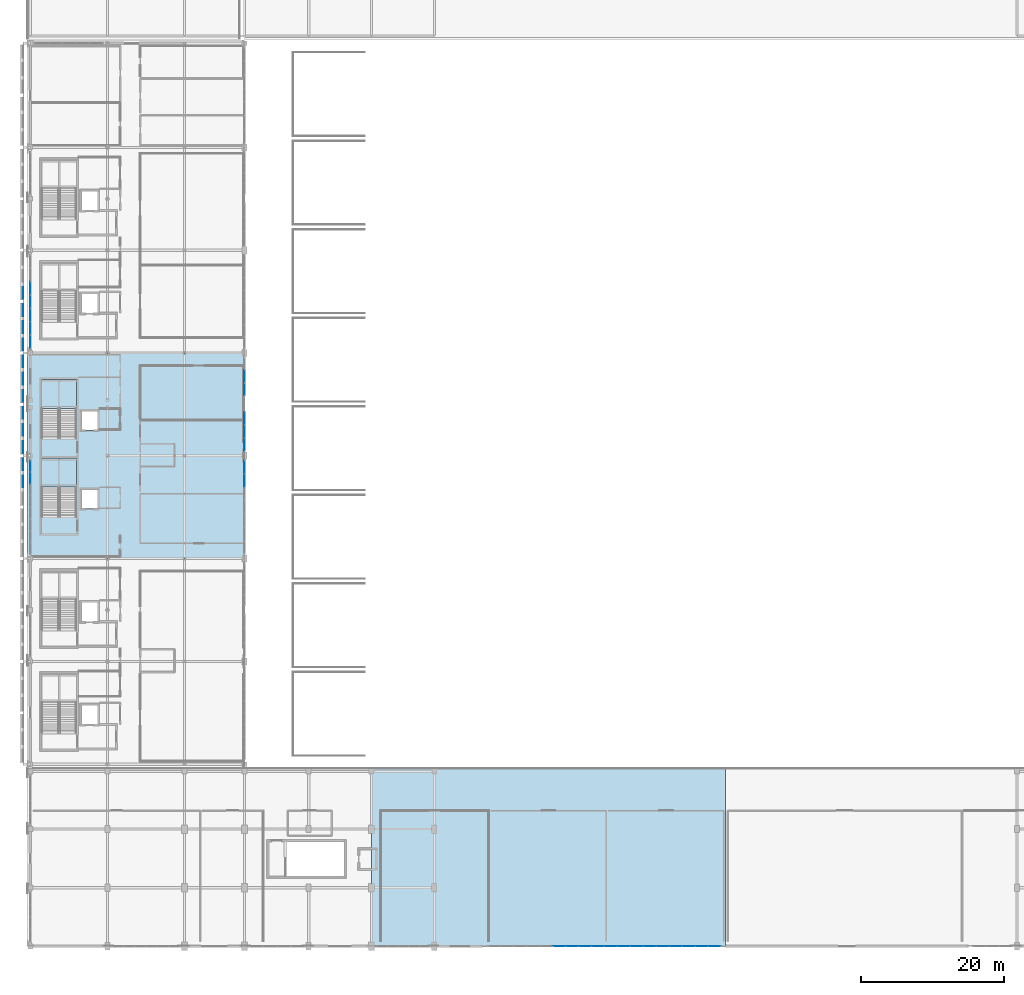
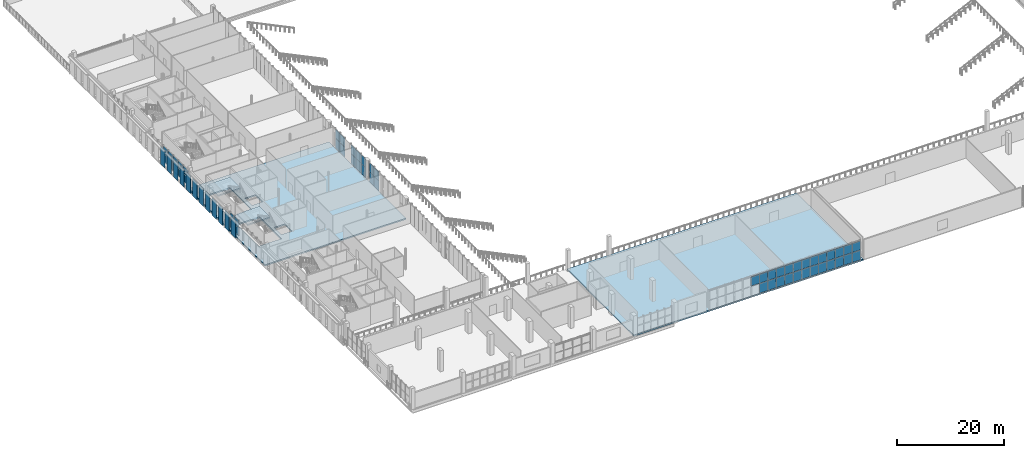
# One storey, part 54 of 104: 65 plates, 4 slabs, 8 elements without a shape of their own.
"""IFC4 building model written with IfcOpenShell, lengths in metres."""

from ifc_helpers import new_model, si_unit, direction, frame, origin, origin_2d, place, context, subcontext, project, spatial, polyline, rectangle, outline, extrude, material, layer, layer_set, type_object, element, aggregate, save


model = new_model("IFC4")

# Units and contexts
model_context = context("Model", 3, precision=1e-05, world=origin(), true_north=direction((0.0, 1.0)))
body_context = subcontext(model_context, "Body", "Model", "MODEL_VIEW")
ifc_project = project(units=[si_unit("LENGTHUNIT", "METRE"), si_unit("AREAUNIT", "SQUARE_METRE"), si_unit("VOLUMEUNIT", "CUBIC_METRE"), si_unit("PLANEANGLEUNIT", "RADIAN"), si_unit("MASSUNIT", "GRAM", prefix="KILO")], contexts=[model_context])

# Site, building, storey
site_placement = place(None, origin())
site = spatial("IfcSite", under=ifc_project, at=site_placement, CompositionType="ELEMENT")
building_placement = place(site_placement, origin())
building = spatial("IfcBuilding", under=site, at=building_placement, Name="Koshinbarg Plaza Stadium", CompositionType="ELEMENT")
storey_placement = place(building_placement, frame((0.0, 0.0, 19.800048828125)))
storey = spatial("IfcBuildingStorey", under=building, at=storey_placement, Name="L04", CompositionType="ELEMENT", Elevation=19.800048828125)

# Curtain wall, plates
ifc_material_1 = material(Name="Thermally broken anodised aluminium and low-E double glazing", Category="aluminium")
curtain_wall_type_1 = type_object("IfcCurtainWallType", Name="CW-SYS-15", PredefinedType="NOTDEFINED", material=ifc_material_1)
curtain_wall_1_placement = place(storey_placement, origin())
curtain_wall_1 = element("IfcCurtainWall", 1, at=curtain_wall_1_placement, inside=storey, type_object=curtain_wall_type_1, Name="L04 unitised curtain wall CW-L04-094", PredefinedType="NOTDEFINED")
ifc_material_2 = material(Name="Solar-control low-E double glazing unit", Category="glass")
ifc_layer_1 = layer(ifc_material_2, 0.028076171875)
ifc_layer_set_1 = layer_set([ifc_layer_1], Name="Solar-control low-E double glazing unit")
plate_type_1 = type_object("IfcPlateType", Name="CW-PNL-28", PredefinedType="CURTAIN_PANEL", material=ifc_layer_set_1)
plate_1_placement = place(storey_placement, frame((24.60009765625, 65.612548828125, 0.06005859375), z_axis=(0.0, 0.0, 1.0), x_axis=(0.0, 1.0, 0.0)))
plate_1 = element("IfcPlate", 2, at=plate_1_placement, type_object=plate_type_1, Name="CW15 panel 7.1", PredefinedType="CURTAIN_PANEL", context=body_context, shape_type="SweptSolid", body=[
    extrude(rectangle(XDim=1.5849609375, YDim=0.028076171875, at=origin_2d()), origin(), (0.0, 0.0, 1.0), 1.771484375),
])
plate_2_placement = place(storey_placement, frame((24.60009765625, 65.612548828125, 1.8916015625), z_axis=(0.0, 0.0, 1.0), x_axis=(0.0, 1.0, 0.0)))
plate_2 = element("IfcPlate", 3, at=plate_2_placement, type_object=plate_type_1, Name="CW15 panel 7.2", PredefinedType="CURTAIN_PANEL", context=body_context, shape_type="SweptSolid", body=[
    extrude(rectangle(XDim=1.5849609375, YDim=0.028076171875, at=origin_2d()), origin(), (0.0, 0.0, 1.0), 1.62841796875),
])
plate_3_placement = place(storey_placement, frame((24.60009765625, 67.242431640625, 0.06005859375), z_axis=(0.0, 0.0, 1.0), x_axis=(0.0, 1.0, 0.0)))
plate_3 = element("IfcPlate", 4, at=plate_3_placement, type_object=plate_type_1, Name="CW15 panel 8.1", PredefinedType="CURTAIN_PANEL", context=body_context, shape_type="SweptSolid", body=[
    extrude(rectangle(XDim=1.554931640625, YDim=0.028076171875, at=origin_2d()), origin(), (0.0, 0.0, 1.0), 1.771484375),
])
plate_4_placement = place(storey_placement, frame((24.60009765625, 67.242431640625, 1.8916015625), z_axis=(0.0, 0.0, 1.0), x_axis=(0.0, 1.0, 0.0)))
plate_4 = element("IfcPlate", 5, at=plate_4_placement, type_object=plate_type_1, Name="CW15 panel 8.2", PredefinedType="CURTAIN_PANEL", context=body_context, shape_type="SweptSolid", body=[
    extrude(rectangle(XDim=1.554931640625, YDim=0.028076171875, at=origin_2d()), origin(), (0.0, 0.0, 1.0), 1.62841796875),
])
aggregate(curtain_wall_1, [plate_1, plate_2, plate_3, plate_4])

curtain_wall_type_2 = type_object("IfcCurtainWallType", Name="CW-SYS-05", PredefinedType="NOTDEFINED", material=ifc_material_1)
curtain_wall_2_placement = place(storey_placement, origin())
curtain_wall_2 = element("IfcCurtainWall", 6, at=curtain_wall_2_placement, inside=storey, type_object=curtain_wall_type_2, Name="L04 unitised curtain wall CW-L04-116", PredefinedType="NOTDEFINED")
plate_5_placement = place(storey_placement, frame((54.60009765625, 73.938232421875, 0.06005859375), z_axis=(0.0, 0.0, 1.0), x_axis=(0.0, -1.0, 0.0)))
plate_5 = element("IfcPlate", 7, at=plate_5_placement, type_object=plate_type_1, Name="CW05 panel 1.1", PredefinedType="CURTAIN_PANEL", context=body_context, shape_type="SweptSolid", body=[
    extrude(rectangle(XDim=1.763427734375, YDim=0.028076171875, at=origin_2d()), origin(), (0.0, 0.0, 1.0), 2.239501953125),
])
plate_6_placement = place(storey_placement, frame((54.60009765625, 73.938232421875, 2.359375), z_axis=(0.0, 0.0, 1.0), x_axis=(0.0, -1.0, 0.0)))
plate_6 = element("IfcPlate", 8, at=plate_6_placement, type_object=plate_type_1, Name="CW05 panel 1.2", PredefinedType="CURTAIN_PANEL", context=body_context, shape_type="SweptSolid", body=[
    extrude(rectangle(XDim=1.763427734375, YDim=0.028076171875, at=origin_2d()), origin(), (0.0, 0.0, 1.0), 2.060302734375),
])
plate_7_placement = place(storey_placement, frame((54.60009765625, 72.10009765625, 0.06005859375), z_axis=(0.0, 0.0, 1.0), x_axis=(0.0, -1.0, 0.0)))
plate_7 = element("IfcPlate", 9, at=plate_7_placement, type_object=plate_type_1, Name="CW05 panel 2.1", PredefinedType="CURTAIN_PANEL", context=body_context, shape_type="SweptSolid", body=[
    extrude(rectangle(XDim=1.793212890625, YDim=0.028076171875, at=origin_2d()), origin(), (0.0, 0.0, 1.0), 2.239501953125),
])
plate_8_placement = place(storey_placement, frame((54.60009765625, 72.10009765625, 2.359375), z_axis=(0.0, 0.0, 1.0), x_axis=(0.0, -1.0, 0.0)))
plate_8 = element("IfcPlate", 10, at=plate_8_placement, type_object=plate_type_1, Name="CW05 panel 2.2", PredefinedType="CURTAIN_PANEL", context=body_context, shape_type="SweptSolid", body=[
    extrude(rectangle(XDim=1.793212890625, YDim=0.028076171875, at=origin_2d()), origin(), (0.0, 0.0, 1.0), 2.060302734375),
])
plate_9_placement = place(storey_placement, frame((54.60009765625, 70.26171875, 0.06005859375), z_axis=(0.0, 0.0, 1.0), x_axis=(0.0, -1.0, 0.0)))
plate_9 = element("IfcPlate", 11, at=plate_9_placement, type_object=plate_type_1, Name="CW05 panel 3.1", PredefinedType="CURTAIN_PANEL", context=body_context, shape_type="SweptSolid", body=[
    extrude(rectangle(XDim=1.763427734375, YDim=0.028076171875, at=origin_2d()), origin(), (0.0, 0.0, 1.0), 2.239501953125),
])
plate_10_placement = place(storey_placement, frame((54.60009765625, 70.26171875, 2.359375), z_axis=(0.0, 0.0, 1.0), x_axis=(0.0, -1.0, 0.0)))
plate_10 = element("IfcPlate", 12, at=plate_10_placement, type_object=plate_type_1, Name="CW05 panel 3.2", PredefinedType="CURTAIN_PANEL", context=body_context, shape_type="SweptSolid", body=[
    extrude(rectangle(XDim=1.763427734375, YDim=0.028076171875, at=origin_2d()), origin(), (0.0, 0.0, 1.0), 2.060302734375),
])
aggregate(curtain_wall_2, [plate_5, plate_6, plate_7, plate_8, plate_9, plate_10])

curtain_wall_type_3 = type_object("IfcCurtainWallType", Name="CW-SYS-16", PredefinedType="NOTDEFINED", material=ifc_material_1)
curtain_wall_3_placement = place(storey_placement, origin())
curtain_wall_3 = element("IfcCurtainWall", 13, at=curtain_wall_3_placement, inside=storey, type_object=curtain_wall_type_3, Name="L04 unitised curtain wall CW-L04-095", PredefinedType="NOTDEFINED")
ifc_material_3 = material(Name="Acoustic solar-control double glazing unit", Category="glass")
ifc_layer_2 = layer(ifc_material_3, 0.031982421875)
ifc_layer_set_2 = layer_set([ifc_layer_2], Name="Acoustic solar-control double glazing unit")
plate_type_2 = type_object("IfcPlateType", Name="CW-PNL-32", PredefinedType="CURTAIN_PANEL", material=ifc_layer_set_2)
plate_11_placement = place(storey_placement, frame((24.60009765625, 84.675048828125, 0.06005859375), z_axis=(0.0, 0.0, 1.0), x_axis=(0.0, 1.0, 0.0)))
plate_11 = element("IfcPlate", 14, at=plate_11_placement, type_object=plate_type_2, Name="CW16 panel 1.1", PredefinedType="CURTAIN_PANEL", context=body_context, shape_type="SweptSolid", body=[
    extrude(rectangle(XDim=1.7900390625, YDim=0.031982421875, at=origin_2d()), origin(), (0.0, 0.0, 1.0), 1.771484375),
])
plate_12_placement = place(storey_placement, frame((24.60009765625, 84.675048828125, 1.8916015625), z_axis=(0.0, 0.0, 1.0), x_axis=(0.0, 1.0, 0.0)))
plate_12 = element("IfcPlate", 15, at=plate_12_placement, type_object=plate_type_2, Name="CW16 panel 1.2", PredefinedType="CURTAIN_PANEL", context=body_context, shape_type="SweptSolid", body=[
    extrude(rectangle(XDim=1.7900390625, YDim=0.031982421875, at=origin_2d()), origin(), (0.0, 0.0, 1.0), 1.62841796875),
])
plate_13_placement = place(storey_placement, frame((24.60009765625, 86.5400390625, 0.06005859375), z_axis=(0.0, 0.0, 1.0), x_axis=(0.0, 1.0, 0.0)))
plate_13 = element("IfcPlate", 16, at=plate_13_placement, type_object=plate_type_2, Name="CW16 panel 2.1", PredefinedType="CURTAIN_PANEL", context=body_context, shape_type="SweptSolid", body=[
    extrude(rectangle(XDim=1.820068359375, YDim=0.031982421875, at=origin_2d()), origin(), (0.0, 0.0, 1.0), 1.771484375),
])
plate_14_placement = place(storey_placement, frame((24.60009765625, 86.5400390625, 1.8916015625), z_axis=(0.0, 0.0, 1.0), x_axis=(0.0, 1.0, 0.0)))
plate_14 = element("IfcPlate", 17, at=plate_14_placement, type_object=plate_type_2, Name="CW16 panel 2.2", PredefinedType="CURTAIN_PANEL", context=body_context, shape_type="SweptSolid", body=[
    extrude(rectangle(XDim=1.820068359375, YDim=0.031982421875, at=origin_2d()), origin(), (0.0, 0.0, 1.0), 1.62841796875),
])
plate_15_placement = place(storey_placement, frame((24.60009765625, 88.419921875, 0.06005859375), z_axis=(0.0, 0.0, 1.0), x_axis=(0.0, 1.0, 0.0)))
plate_15 = element("IfcPlate", 18, at=plate_15_placement, type_object=plate_type_2, Name="CW16 panel 3.1", PredefinedType="CURTAIN_PANEL", context=body_context, shape_type="SweptSolid", body=[
    extrude(rectangle(XDim=1.820068359375, YDim=0.031982421875, at=origin_2d()), origin(), (0.0, 0.0, 1.0), 1.771484375),
])
plate_16_placement = place(storey_placement, frame((24.60009765625, 88.419921875, 1.8916015625), z_axis=(0.0, 0.0, 1.0), x_axis=(0.0, 1.0, 0.0)))
plate_16 = element("IfcPlate", 19, at=plate_16_placement, type_object=plate_type_2, Name="CW16 panel 3.2", PredefinedType="CURTAIN_PANEL", context=body_context, shape_type="SweptSolid", body=[
    extrude(rectangle(XDim=1.820068359375, YDim=0.031982421875, at=origin_2d()), origin(), (0.0, 0.0, 1.0), 1.62841796875),
])
plate_17_placement = place(storey_placement, frame((24.60009765625, 90.300048828125, 0.06005859375), z_axis=(0.0, 0.0, 1.0), x_axis=(0.0, 1.0, 0.0)))
plate_17 = element("IfcPlate", 20, at=plate_17_placement, type_object=plate_type_2, Name="CW16 panel 4.1", PredefinedType="CURTAIN_PANEL", context=body_context, shape_type="SweptSolid", body=[
    extrude(rectangle(XDim=1.820068359375, YDim=0.031982421875, at=origin_2d()), origin(), (0.0, 0.0, 1.0), 1.771484375),
])
plate_18_placement = place(storey_placement, frame((24.60009765625, 90.300048828125, 1.8916015625), z_axis=(0.0, 0.0, 1.0), x_axis=(0.0, 1.0, 0.0)))
plate_18 = element("IfcPlate", 21, at=plate_18_placement, type_object=plate_type_2, Name="CW16 panel 4.2", PredefinedType="CURTAIN_PANEL", context=body_context, shape_type="SweptSolid", body=[
    extrude(rectangle(XDim=1.820068359375, YDim=0.031982421875, at=origin_2d()), origin(), (0.0, 0.0, 1.0), 1.62841796875),
])
plate_19_placement = place(storey_placement, frame((24.60009765625, 92.179931640625, 0.06005859375), z_axis=(0.0, 0.0, 1.0), x_axis=(0.0, 1.0, 0.0)))
plate_19 = element("IfcPlate", 22, at=plate_19_placement, type_object=plate_type_2, Name="CW16 panel 5.1", PredefinedType="CURTAIN_PANEL", context=body_context, shape_type="SweptSolid", body=[
    extrude(rectangle(XDim=1.820068359375, YDim=0.031982421875, at=origin_2d()), origin(), (0.0, 0.0, 1.0), 1.771484375),
])
plate_20_placement = place(storey_placement, frame((24.60009765625, 92.179931640625, 1.8916015625), z_axis=(0.0, 0.0, 1.0), x_axis=(0.0, 1.0, 0.0)))
plate_20 = element("IfcPlate", 23, at=plate_20_placement, type_object=plate_type_2, Name="CW16 panel 5.2", PredefinedType="CURTAIN_PANEL", context=body_context, shape_type="SweptSolid", body=[
    extrude(rectangle(XDim=1.820068359375, YDim=0.031982421875, at=origin_2d()), origin(), (0.0, 0.0, 1.0), 1.62841796875),
])
aggregate(curtain_wall_3, [plate_11, plate_12, plate_13, plate_14, plate_15, plate_16, plate_17, plate_18, plate_19, plate_20])

curtain_wall_type_4 = type_object("IfcCurtainWallType", Name="CW-SYS-12", PredefinedType="NOTDEFINED", material=ifc_material_1)
curtain_wall_4_placement = place(storey_placement, origin())
curtain_wall_4 = element("IfcCurtainWall", 24, at=curtain_wall_4_placement, inside=storey, type_object=curtain_wall_type_4, Name="L04 unitised curtain wall CW-L04-107", PredefinedType="NOTDEFINED")
plate_21_placement = place(storey_placement, frame((120.455078125, 0.0, 0.06005859375), z_axis=(0.0, 0.0, 1.0), x_axis=(-1.0, 0.0, 0.0)))
plate_21 = element("IfcPlate", 25, at=plate_21_placement, type_object=plate_type_2, Name="CW12 panel 1.1", PredefinedType="CURTAIN_PANEL", context=body_context, shape_type="SweptSolid", body=[
    extrude(rectangle(XDim=1.72998046875, YDim=0.031982421875, at=origin_2d()), origin(), (0.0, 0.0, 1.0), 2.239501953125),
])
plate_22_placement = place(storey_placement, frame((120.455078125, 0.0, 2.359375), z_axis=(0.0, 0.0, 1.0), x_axis=(-1.0, 0.0, 0.0)))
plate_22 = element("IfcPlate", 26, at=plate_22_placement, type_object=plate_type_2, Name="CW12 panel 1.2", PredefinedType="CURTAIN_PANEL", context=body_context, shape_type="SweptSolid", body=[
    extrude(rectangle(XDim=1.72998046875, YDim=0.031982421875, at=origin_2d()), origin(), (0.0, 0.0, 1.0), 2.060302734375),
])
plate_23_placement = place(storey_placement, frame((118.64990234375, 0.0, 0.06005859375), z_axis=(0.0, 0.0, 1.0), x_axis=(-1.0, 0.0, 0.0)))
plate_23 = element("IfcPlate", 27, at=plate_23_placement, type_object=plate_type_2, Name="CW12 panel 2.1", PredefinedType="CURTAIN_PANEL", context=body_context, shape_type="SweptSolid", body=[
    extrude(rectangle(XDim=1.760009765625, YDim=0.031982421875, at=origin_2d()), origin(), (0.0, 0.0, 1.0), 2.239501953125),
])
plate_24_placement = place(storey_placement, frame((118.64990234375, 0.0, 2.359375), z_axis=(0.0, 0.0, 1.0), x_axis=(-1.0, 0.0, 0.0)))
plate_24 = element("IfcPlate", 28, at=plate_24_placement, type_object=plate_type_2, Name="CW12 panel 2.2", PredefinedType="CURTAIN_PANEL", context=body_context, shape_type="SweptSolid", body=[
    extrude(rectangle(XDim=1.760009765625, YDim=0.031982421875, at=origin_2d()), origin(), (0.0, 0.0, 1.0), 2.060302734375),
])
plate_25_placement = place(storey_placement, frame((116.830078125, 0.0, 0.06005859375), z_axis=(0.0, 0.0, 1.0), x_axis=(-1.0, 0.0, 0.0)))
plate_25 = element("IfcPlate", 29, at=plate_25_placement, type_object=plate_type_2, Name="CW12 panel 3.1", PredefinedType="CURTAIN_PANEL", context=body_context, shape_type="SweptSolid", body=[
    extrude(rectangle(XDim=1.760009765625, YDim=0.031982421875, at=origin_2d()), origin(), (0.0, 0.0, 1.0), 2.239501953125),
])
plate_26_placement = place(storey_placement, frame((116.830078125, 0.0, 2.359375), z_axis=(0.0, 0.0, 1.0), x_axis=(-1.0, 0.0, 0.0)))
plate_26 = element("IfcPlate", 30, at=plate_26_placement, type_object=plate_type_2, Name="CW12 panel 3.2", PredefinedType="CURTAIN_PANEL", context=body_context, shape_type="SweptSolid", body=[
    extrude(rectangle(XDim=1.760009765625, YDim=0.031982421875, at=origin_2d()), origin(), (0.0, 0.0, 1.0), 2.060302734375),
])
plate_27_placement = place(storey_placement, frame((115.010009765625, 0.0, 0.06005859375), z_axis=(0.0, 0.0, 1.0), x_axis=(-1.0, 0.0, 0.0)))
plate_27 = element("IfcPlate", 31, at=plate_27_placement, type_object=plate_type_2, Name="CW12 panel 4.1", PredefinedType="CURTAIN_PANEL", context=body_context, shape_type="SweptSolid", body=[
    extrude(rectangle(XDim=1.760009765625, YDim=0.031982421875, at=origin_2d()), origin(), (0.0, 0.0, 1.0), 2.239501953125),
])
plate_28_placement = place(storey_placement, frame((115.010009765625, 0.0, 2.359375), z_axis=(0.0, 0.0, 1.0), x_axis=(-1.0, 0.0, 0.0)))
plate_28 = element("IfcPlate", 32, at=plate_28_placement, type_object=plate_type_2, Name="CW12 panel 4.2", PredefinedType="CURTAIN_PANEL", context=body_context, shape_type="SweptSolid", body=[
    extrude(rectangle(XDim=1.760009765625, YDim=0.031982421875, at=origin_2d()), origin(), (0.0, 0.0, 1.0), 2.060302734375),
])
plate_29_placement = place(storey_placement, frame((113.18994140625, 0.0, 0.06005859375), z_axis=(0.0, 0.0, 1.0), x_axis=(-1.0, 0.0, 0.0)))
plate_29 = element("IfcPlate", 33, at=plate_29_placement, type_object=plate_type_2, Name="CW12 panel 5.1", PredefinedType="CURTAIN_PANEL", context=body_context, shape_type="SweptSolid", body=[
    extrude(rectangle(XDim=1.760009765625, YDim=0.031982421875, at=origin_2d()), origin(), (0.0, 0.0, 1.0), 2.239501953125),
])
plate_30_placement = place(storey_placement, frame((113.18994140625, 0.0, 2.359375), z_axis=(0.0, 0.0, 1.0), x_axis=(-1.0, 0.0, 0.0)))
plate_30 = element("IfcPlate", 34, at=plate_30_placement, type_object=plate_type_2, Name="CW12 panel 5.2", PredefinedType="CURTAIN_PANEL", context=body_context, shape_type="SweptSolid", body=[
    extrude(rectangle(XDim=1.760009765625, YDim=0.031982421875, at=origin_2d()), origin(), (0.0, 0.0, 1.0), 2.060302734375),
])
plate_31_placement = place(storey_placement, frame((111.3701171875, 0.0, 0.06005859375), z_axis=(0.0, 0.0, 1.0), x_axis=(-1.0, 0.0, 0.0)))
plate_31 = element("IfcPlate", 35, at=plate_31_placement, type_object=plate_type_2, Name="CW12 panel 6.1", PredefinedType="CURTAIN_PANEL", context=body_context, shape_type="SweptSolid", body=[
    extrude(rectangle(XDim=1.760009765625, YDim=0.031982421875, at=origin_2d()), origin(), (0.0, 0.0, 1.0), 2.239501953125),
])
plate_32_placement = place(storey_placement, frame((111.3701171875, 0.0, 2.359375), z_axis=(0.0, 0.0, 1.0), x_axis=(-1.0, 0.0, 0.0)))
plate_32 = element("IfcPlate", 36, at=plate_32_placement, type_object=plate_type_2, Name="CW12 panel 6.2", PredefinedType="CURTAIN_PANEL", context=body_context, shape_type="SweptSolid", body=[
    extrude(rectangle(XDim=1.760009765625, YDim=0.031982421875, at=origin_2d()), origin(), (0.0, 0.0, 1.0), 2.060302734375),
])
plate_33_placement = place(storey_placement, frame((109.550048828125, 0.0, 0.06005859375), z_axis=(0.0, 0.0, 1.0), x_axis=(-1.0, 0.0, 0.0)))
plate_33 = element("IfcPlate", 37, at=plate_33_placement, type_object=plate_type_2, Name="CW12 panel 7.1", PredefinedType="CURTAIN_PANEL", context=body_context, shape_type="SweptSolid", body=[
    extrude(rectangle(XDim=1.760009765625, YDim=0.031982421875, at=origin_2d()), origin(), (0.0, 0.0, 1.0), 2.239501953125),
])
plate_34_placement = place(storey_placement, frame((109.550048828125, 0.0, 2.359375), z_axis=(0.0, 0.0, 1.0), x_axis=(-1.0, 0.0, 0.0)))
plate_34 = element("IfcPlate", 38, at=plate_34_placement, type_object=plate_type_2, Name="CW12 panel 7.2", PredefinedType="CURTAIN_PANEL", context=body_context, shape_type="SweptSolid", body=[
    extrude(rectangle(XDim=1.760009765625, YDim=0.031982421875, at=origin_2d()), origin(), (0.0, 0.0, 1.0), 2.060302734375),
])
plate_35_placement = place(storey_placement, frame((107.72998046875, 0.0, 0.06005859375), z_axis=(0.0, 0.0, 1.0), x_axis=(-1.0, 0.0, 0.0)))
plate_35 = element("IfcPlate", 39, at=plate_35_placement, type_object=plate_type_2, Name="CW12 panel 8.1", PredefinedType="CURTAIN_PANEL", context=body_context, shape_type="SweptSolid", body=[
    extrude(rectangle(XDim=1.760009765625, YDim=0.031982421875, at=origin_2d()), origin(), (0.0, 0.0, 1.0), 2.239501953125),
])
plate_36_placement = place(storey_placement, frame((107.72998046875, 0.0, 2.359375), z_axis=(0.0, 0.0, 1.0), x_axis=(-1.0, 0.0, 0.0)))
plate_36 = element("IfcPlate", 40, at=plate_36_placement, type_object=plate_type_2, Name="CW12 panel 8.2", PredefinedType="CURTAIN_PANEL", context=body_context, shape_type="SweptSolid", body=[
    extrude(rectangle(XDim=1.760009765625, YDim=0.031982421875, at=origin_2d()), origin(), (0.0, 0.0, 1.0), 2.060302734375),
])
plate_37_placement = place(storey_placement, frame((105.909912109375, 0.0, 0.06005859375), z_axis=(0.0, 0.0, 1.0), x_axis=(-1.0, 0.0, 0.0)))
plate_37 = element("IfcPlate", 41, at=plate_37_placement, type_object=plate_type_2, Name="CW12 panel 9.1", PredefinedType="CURTAIN_PANEL", context=body_context, shape_type="SweptSolid", body=[
    extrude(rectangle(XDim=1.760009765625, YDim=0.031982421875, at=origin_2d()), origin(), (0.0, 0.0, 1.0), 2.239501953125),
])
plate_38_placement = place(storey_placement, frame((105.909912109375, 0.0, 2.359375), z_axis=(0.0, 0.0, 1.0), x_axis=(-1.0, 0.0, 0.0)))
plate_38 = element("IfcPlate", 42, at=plate_38_placement, type_object=plate_type_2, Name="CW12 panel 9.2", PredefinedType="CURTAIN_PANEL", context=body_context, shape_type="SweptSolid", body=[
    extrude(rectangle(XDim=1.760009765625, YDim=0.031982421875, at=origin_2d()), origin(), (0.0, 0.0, 1.0), 2.060302734375),
])
plate_39_placement = place(storey_placement, frame((104.090087890625, 0.0, 0.06005859375), z_axis=(0.0, 0.0, 1.0), x_axis=(-1.0, 0.0, 0.0)))
plate_39 = element("IfcPlate", 43, at=plate_39_placement, type_object=plate_type_2, Name="CW12 panel 10.1", PredefinedType="CURTAIN_PANEL", context=body_context, shape_type="SweptSolid", body=[
    extrude(rectangle(XDim=1.760009765625, YDim=0.031982421875, at=origin_2d()), origin(), (0.0, 0.0, 1.0), 2.239501953125),
])
plate_40_placement = place(storey_placement, frame((104.090087890625, 0.0, 2.359375), z_axis=(0.0, 0.0, 1.0), x_axis=(-1.0, 0.0, 0.0)))
plate_40 = element("IfcPlate", 44, at=plate_40_placement, type_object=plate_type_2, Name="CW12 panel 10.2", PredefinedType="CURTAIN_PANEL", context=body_context, shape_type="SweptSolid", body=[
    extrude(rectangle(XDim=1.760009765625, YDim=0.031982421875, at=origin_2d()), origin(), (0.0, 0.0, 1.0), 2.060302734375),
])
plate_41_placement = place(storey_placement, frame((102.27001953125, 0.0, 0.06005859375), z_axis=(0.0, 0.0, 1.0), x_axis=(-1.0, 0.0, 0.0)))
plate_41 = element("IfcPlate", 45, at=plate_41_placement, type_object=plate_type_2, Name="CW12 panel 11.1", PredefinedType="CURTAIN_PANEL", context=body_context, shape_type="SweptSolid", body=[
    extrude(rectangle(XDim=1.760009765625, YDim=0.031982421875, at=origin_2d()), origin(), (0.0, 0.0, 1.0), 2.239501953125),
])
plate_42_placement = place(storey_placement, frame((102.27001953125, 0.0, 2.359375), z_axis=(0.0, 0.0, 1.0), x_axis=(-1.0, 0.0, 0.0)))
plate_42 = element("IfcPlate", 46, at=plate_42_placement, type_object=plate_type_2, Name="CW12 panel 11.2", PredefinedType="CURTAIN_PANEL", context=body_context, shape_type="SweptSolid", body=[
    extrude(rectangle(XDim=1.760009765625, YDim=0.031982421875, at=origin_2d()), origin(), (0.0, 0.0, 1.0), 2.060302734375),
])
plate_43_placement = place(storey_placement, frame((100.449951171875, 0.0, 0.06005859375), z_axis=(0.0, 0.0, 1.0), x_axis=(-1.0, 0.0, 0.0)))
plate_43 = element("IfcPlate", 47, at=plate_43_placement, type_object=plate_type_2, Name="CW12 panel 12.1", PredefinedType="CURTAIN_PANEL", context=body_context, shape_type="SweptSolid", body=[
    extrude(rectangle(XDim=1.760009765625, YDim=0.031982421875, at=origin_2d()), origin(), (0.0, 0.0, 1.0), 2.239501953125),
])
plate_44_placement = place(storey_placement, frame((100.449951171875, 0.0, 2.359375), z_axis=(0.0, 0.0, 1.0), x_axis=(-1.0, 0.0, 0.0)))
plate_44 = element("IfcPlate", 48, at=plate_44_placement, type_object=plate_type_2, Name="CW12 panel 12.2", PredefinedType="CURTAIN_PANEL", context=body_context, shape_type="SweptSolid", body=[
    extrude(rectangle(XDim=1.760009765625, YDim=0.031982421875, at=origin_2d()), origin(), (0.0, 0.0, 1.0), 2.060302734375),
])
plate_45_placement = place(storey_placement, frame((98.6298828125, 0.0, 2.359375), z_axis=(0.0, 0.0, 1.0), x_axis=(-1.0, 0.0, 0.0)))
plate_45 = element("IfcPlate", 49, at=plate_45_placement, type_object=plate_type_2, Name="CW12 panel 13.2", PredefinedType="CURTAIN_PANEL", context=body_context, shape_type="SweptSolid", body=[
    extrude(rectangle(XDim=1.760009765625, YDim=0.031982421875, at=origin_2d()), origin(), (0.0, 0.0, 1.0), 2.060302734375),
])
aggregate(curtain_wall_4, [plate_21, plate_22, plate_23, plate_24, plate_25, plate_26, plate_27, plate_28, plate_29, plate_30, plate_31, plate_32, plate_33, plate_34, plate_35, plate_36, plate_37, plate_38, plate_39, plate_40, plate_41, plate_42, plate_43, plate_44, plate_45])

curtain_wall_type_5 = type_object("IfcCurtainWallType", Name="CW-SYS-04", PredefinedType="NOTDEFINED", material=ifc_material_1)
curtain_wall_5_placement = place(storey_placement, origin())
curtain_wall_5 = element("IfcCurtainWall", 50, at=curtain_wall_5_placement, inside=storey, type_object=curtain_wall_type_5, Name="L04 unitised curtain wall CW-L04-115", PredefinedType="NOTDEFINED")
plate_46_placement = place(storey_placement, frame((54.60009765625, 79.800048828125, 0.06005859375), z_axis=(0.0, 0.0, 1.0), x_axis=(0.0, -1.0, 0.0)))
plate_46 = element("IfcPlate", 51, at=plate_46_placement, type_object=plate_type_2, Name="CW04 panel 2.1", PredefinedType="CURTAIN_PANEL", context=body_context, shape_type="SweptSolid", body=[
    extrude(rectangle(XDim=1.7265625, YDim=0.031982421875, at=origin_2d()), origin(), (0.0, 0.0, 1.0), 2.239501953125),
])
plate_47_placement = place(storey_placement, frame((54.60009765625, 79.800048828125, 2.359375), z_axis=(0.0, 0.0, 1.0), x_axis=(0.0, -1.0, 0.0)))
plate_47 = element("IfcPlate", 52, at=plate_47_placement, type_object=plate_type_2, Name="CW04 panel 2.2", PredefinedType="CURTAIN_PANEL", context=body_context, shape_type="SweptSolid", body=[
    extrude(rectangle(XDim=1.7265625, YDim=0.031982421875, at=origin_2d()), origin(), (0.0, 0.0, 1.0), 2.060302734375),
])
plate_48_placement = place(storey_placement, frame((54.60009765625, 78.0283203125, 0.06005859375), z_axis=(0.0, 0.0, 1.0), x_axis=(0.0, -1.0, 0.0)))
plate_48 = element("IfcPlate", 53, at=plate_48_placement, type_object=plate_type_2, Name="CW04 panel 3.1", PredefinedType="CURTAIN_PANEL", context=body_context, shape_type="SweptSolid", body=[
    extrude(rectangle(XDim=1.69677734375, YDim=0.031982421875, at=origin_2d()), origin(), (0.0, 0.0, 1.0), 2.239501953125),
])
plate_49_placement = place(storey_placement, frame((54.60009765625, 78.0283203125, 2.359375), z_axis=(0.0, 0.0, 1.0), x_axis=(0.0, -1.0, 0.0)))
plate_49 = element("IfcPlate", 54, at=plate_49_placement, type_object=plate_type_2, Name="CW04 panel 3.2", PredefinedType="CURTAIN_PANEL", context=body_context, shape_type="SweptSolid", body=[
    extrude(rectangle(XDim=1.69677734375, YDim=0.031982421875, at=origin_2d()), origin(), (0.0, 0.0, 1.0), 2.060302734375),
])
aggregate(curtain_wall_5, [plate_46, plate_47, plate_48, plate_49])

curtain_wall_type_6 = type_object("IfcCurtainWallType", Name="CW-SYS-06", PredefinedType="NOTDEFINED", material=ifc_material_1)
curtain_wall_6_placement = place(storey_placement, origin())
curtain_wall_6 = element("IfcCurtainWall", 55, at=curtain_wall_6_placement, inside=storey, type_object=curtain_wall_type_6, Name="L04 unitised curtain wall CW-L04-117", PredefinedType="NOTDEFINED")
plate_50_placement = place(storey_placement, frame((54.60009765625, 67.125, 0.06005859375), z_axis=(0.0, 0.0, 1.0), x_axis=(0.0, -1.0, 0.0)))
plate_50 = element("IfcPlate", 56, at=plate_50_placement, type_object=plate_type_2, Name="CW06 panel 1.1", PredefinedType="CURTAIN_PANEL", context=body_context, shape_type="SweptSolid", body=[
    extrude(rectangle(XDim=1.7900390625, YDim=0.031982421875, at=origin_2d()), origin(), (0.0, 0.0, 1.0), 2.239501953125),
])
plate_51_placement = place(storey_placement, frame((54.60009765625, 67.125, 2.359375), z_axis=(0.0, 0.0, 1.0), x_axis=(0.0, -1.0, 0.0)))
plate_51 = element("IfcPlate", 57, at=plate_51_placement, type_object=plate_type_2, Name="CW06 panel 1.2", PredefinedType="CURTAIN_PANEL", context=body_context, shape_type="SweptSolid", body=[
    extrude(rectangle(XDim=1.7900390625, YDim=0.031982421875, at=origin_2d()), origin(), (0.0, 0.0, 1.0), 2.060302734375),
])
plate_52_placement = place(storey_placement, frame((54.60009765625, 65.260009765625, 0.06005859375), z_axis=(0.0, 0.0, 1.0), x_axis=(0.0, -1.0, 0.0)))
plate_52 = element("IfcPlate", 58, at=plate_52_placement, type_object=plate_type_2, Name="CW06 panel 2.1", PredefinedType="CURTAIN_PANEL", context=body_context, shape_type="SweptSolid", body=[
    extrude(rectangle(XDim=1.820068359375, YDim=0.031982421875, at=origin_2d()), origin(), (0.0, 0.0, 1.0), 2.239501953125),
])
plate_53_placement = place(storey_placement, frame((54.60009765625, 65.260009765625, 2.359375), z_axis=(0.0, 0.0, 1.0), x_axis=(0.0, -1.0, 0.0)))
plate_53 = element("IfcPlate", 59, at=plate_53_placement, type_object=plate_type_2, Name="CW06 panel 2.2", PredefinedType="CURTAIN_PANEL", context=body_context, shape_type="SweptSolid", body=[
    extrude(rectangle(XDim=1.820068359375, YDim=0.031982421875, at=origin_2d()), origin(), (0.0, 0.0, 1.0), 2.060302734375),
])
aggregate(curtain_wall_6, [plate_50, plate_51, plate_52, plate_53])

# Plates
ifc_material_4 = material(Name="Off-white mineral-coated perforated aluminium screen panel", Category="aluminium")
ifc_layer_3 = layer(ifc_material_4, 0.050048828125)
ifc_layer_set_3 = layer_set([ifc_layer_3], Name="Off-white mineral-coated perforated aluminium screen panel")
plate_type_3 = type_object("IfcPlateType", Name="PLT-SCR-50", PredefinedType="USERDEFINED", material=ifc_layer_set_3)
for number, where, z_axis, x_axis, name in (
    (60, (23.580078125, 67.5, 0.19970703125), (0.0, 0.0, 1.0), (1.0, 0.0, 0.0), "L04 off-white leaf-pierced outer screen panel 060"),
    (61, (23.580078125, 72.300048828125, 0.19970703125), (0.0, 0.0, 1.0), (1.0, 0.0, 0.0), "L04 off-white leaf-pierced outer screen panel 062"),
    (62, (23.580078125, 77.10009765625, 0.19970703125), (0.0, 0.0, 1.0), (1.0, 0.0, 0.0), "L04 off-white leaf-pierced outer screen panel 064"),
    (63, (23.580078125, 81.89990234375, 0.19970703125), (0.0, 0.0, 1.0), (1.0, 0.0, 0.0), "L04 off-white leaf-pierced outer screen panel 066"),
    (64, (23.580078125, 86.699951171875, 0.19970703125), (0.0, 0.0, 1.0), (1.0, 0.0, 0.0), "L04 off-white leaf-pierced outer screen panel 068"),
    (65, (23.580078125, 91.5, 0.19970703125), (0.0, 0.0, 1.0), (1.0, 0.0, 0.0), "L04 off-white leaf-pierced outer screen panel 070"),
):
    element("IfcPlate", number, at=place(storey_placement, frame(where, z_axis=z_axis, x_axis=x_axis)), inside=storey, type_object=plate_type_3, Name=name, ObjectType="SCREEN PANEL", PredefinedType="USERDEFINED", context=body_context, shape_type="SweptSolid", body=[
        extrude(rectangle(XDim=0.050048828125, YDim=1.632080078125, at=origin_2d()), origin(), (0.0, 0.0, 1.0), 4.030029296875),
    ])
ifc_material_5 = material(Name="Off-white mineral-coated leaf-aperture GRC screen panel")
ifc_layer_4 = layer(ifc_material_5, 0.06005859375)
ifc_layer_set_4 = layer_set([ifc_layer_4], Name="Off-white mineral-coated leaf-aperture GRC screen panel")
plate_type_4 = type_object("IfcPlateType", Name="PLT-SCR-60", PredefinedType="USERDEFINED", material=ifc_layer_set_4)
for number, where, z_axis, x_axis, name in (
    (66, (23.574951171875, 65.10009765625, 0.19970703125), (0.0, 0.0, 1.0), (1.0, 0.0, 0.0), "L04 off-white leaf-pierced outer screen panel 059"),
    (67, (23.574951171875, 69.89990234375, 0.19970703125), (0.0, 0.0, 1.0), (1.0, 0.0, 0.0), "L04 off-white leaf-pierced outer screen panel 061"),
    (68, (23.574951171875, 74.699951171875, 0.19970703125), (0.0, 0.0, 1.0), (1.0, 0.0, 0.0), "L04 off-white leaf-pierced outer screen panel 063"),
    (69, (23.574951171875, 79.5, 0.19970703125), (0.0, 0.0, 1.0), (1.0, 0.0, 0.0), "L04 off-white leaf-pierced outer screen panel 065"),
    (70, (23.574951171875, 84.300048828125, 0.19970703125), (0.0, 0.0, 1.0), (1.0, 0.0, 0.0), "L04 off-white leaf-pierced outer screen panel 067"),
    (71, (23.574951171875, 89.10009765625, 0.19970703125), (0.0, 0.0, 1.0), (1.0, 0.0, 0.0), "L04 off-white leaf-pierced outer screen panel 069"),
):
    element("IfcPlate", number, at=place(storey_placement, frame(where, z_axis=z_axis, x_axis=x_axis)), inside=storey, type_object=plate_type_4, Name=name, ObjectType="SCREEN PANEL", PredefinedType="USERDEFINED", context=body_context, shape_type="SweptSolid", body=[
        extrude(rectangle(XDim=0.06005859375, YDim=1.632080078125, at=origin_2d()), origin(), (0.0, 0.0, 1.0), 4.030029296875),
    ])

# Slabs
ifc_material_6 = material(Name="Concrete C35/45", Category="concrete")
ifc_layer_5 = layer(ifc_material_6, 0.300048828125)
ifc_layer_set_5 = layer_set([ifc_layer_5], Name="Concrete C35/45")
slab_type_1 = type_object("IfcSlabType", Name="SL-FLR-300", PredefinedType="FLOOR", material=ifc_layer_set_5)
slab_1_placement = place(storey_placement, frame((0.0, 0.0, -0.300048828125)))
element("IfcSlab", 72, at=slab_1_placement, inside=storey, type_object=slab_type_1, Name="L04 V1 structural slab 2", PredefinedType="FLOOR", context=body_context, shape_type="SweptSolid", body=[
    extrude(outline(polyline([(24.14501953125, 54.300048828125), (54.60009765625, 54.300048828125), (54.60009765625, 83.10009765625), (24.14501953125, 83.10009765625), (24.14501953125, 54.300048828125)]), holes=[polyline([(31.070068359375, 60.159912109375), (31.070068359375, 68.39990234375), (26.199951171875, 68.39990234375), (26.199951171875, 60.159912109375), (31.070068359375, 60.159912109375)]), polyline([(31.75, 61.300048828125), (34.050048828125, 61.300048828125), (34.050048828125, 64.0), (31.75, 64.0), (31.75, 61.300048828125)]), polyline([(31.070068359375, 71.159912109375), (31.070068359375, 79.39990234375), (26.199951171875, 79.39990234375), (26.199951171875, 71.159912109375), (31.070068359375, 71.159912109375)]), polyline([(31.75, 72.300048828125), (34.050048828125, 72.300048828125), (34.050048828125, 75.0), (31.75, 75.0), (31.75, 72.300048828125)])]), origin(), (0.0, 0.0, 1.0), 0.300048828125),
])
slab_2_placement = place(storey_placement, frame((0.0, 0.0, -0.300048828125)))
element("IfcSlab", 73, at=slab_2_placement, inside=storey, type_object=slab_type_1, Name="L04 V4 structural slab 10", PredefinedType="FLOOR", context=body_context, shape_type="SweptSolid", body=[
    extrude(outline(polyline([(72.39990234375, 0.0), (122.0, 0.0), (122.0, 24.955078125), (72.39990234375, 24.955078125), (72.39990234375, 0.0)])), origin(), (0.0, 0.0, 1.0), 0.300048828125),
])

# Stair, slab
stair_type = type_object("IfcStairType", Name="ST-CORE-48", PredefinedType="HALF_TURN_STAIR", material=ifc_material_6)
stair_1_placement = place(storey_placement, origin())
stair_1 = element("IfcStair", 74, at=stair_1_placement, inside=storey, type_object=stair_type, Name="L04 Protected Exit Stair C03", PredefinedType="HALF_TURN_STAIR")
ifc_layer_6 = layer(ifc_material_6, 0.320068359375)
ifc_layer_set_6 = layer_set([ifc_layer_6], Name="Concrete C35/45")
slab_type_2 = type_object("IfcSlabType", Name="SL-STLAND-280", PredefinedType="LANDING", material=ifc_layer_set_6)
slab_3_placement = place(storey_placement, frame((0.0, 0.0, 2.079833984375)))
slab_3 = element("IfcSlab", 75, at=slab_3_placement, type_object=slab_type_2, Name="L04 Protected Exit Stair C03 landing 017", PredefinedType="LANDING", context=body_context, shape_type="SweptSolid", body=[
    extrude(outline(polyline([(31.070068359375, 64.360107421875), (31.070068359375, 68.39990234375), (26.199951171875, 68.39990234375), (26.199951171875, 64.360107421875), (31.070068359375, 64.360107421875)])), origin(), (0.0, 0.0, 1.0), 0.320068359375),
])
aggregate(stair_1, [slab_3])

stair_2_placement = place(storey_placement, origin())
stair_2 = element("IfcStair", 76, at=stair_2_placement, inside=storey, type_object=stair_type, Name="L04 Protected Exit Stair C04", PredefinedType="HALF_TURN_STAIR")
slab_4_placement = place(storey_placement, frame((0.0, 0.0, 2.079833984375)))
slab_4 = element("IfcSlab", 77, at=slab_4_placement, type_object=slab_type_2, Name="L04 Protected Exit Stair C04 landing 023", PredefinedType="LANDING", context=body_context, shape_type="SweptSolid", body=[
    extrude(outline(polyline([(31.070068359375, 75.360107421875), (31.070068359375, 79.39990234375), (26.199951171875, 79.39990234375), (26.199951171875, 75.360107421875), (31.070068359375, 75.360107421875)])), origin(), (0.0, 0.0, 1.0), 0.320068359375),
])
aggregate(stair_2, [slab_4])

save(model, "model.ifc")
